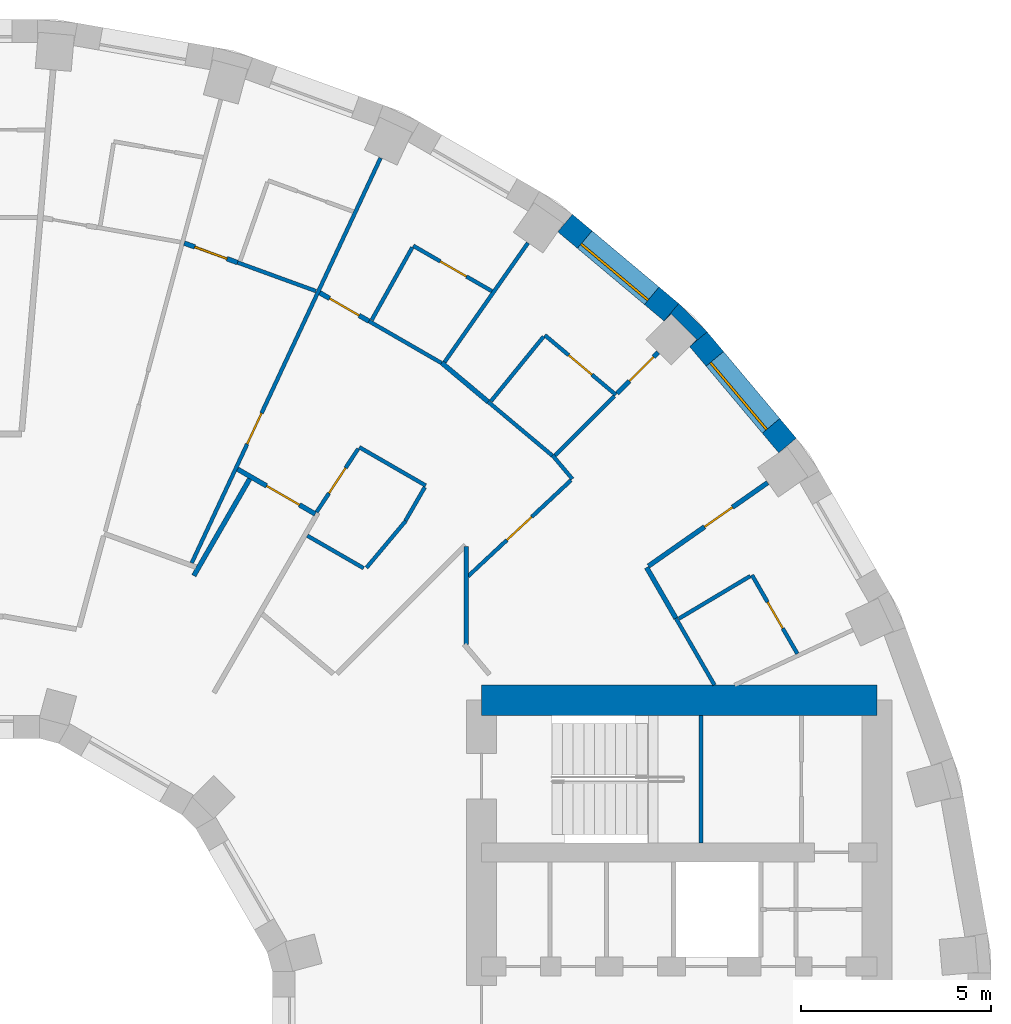
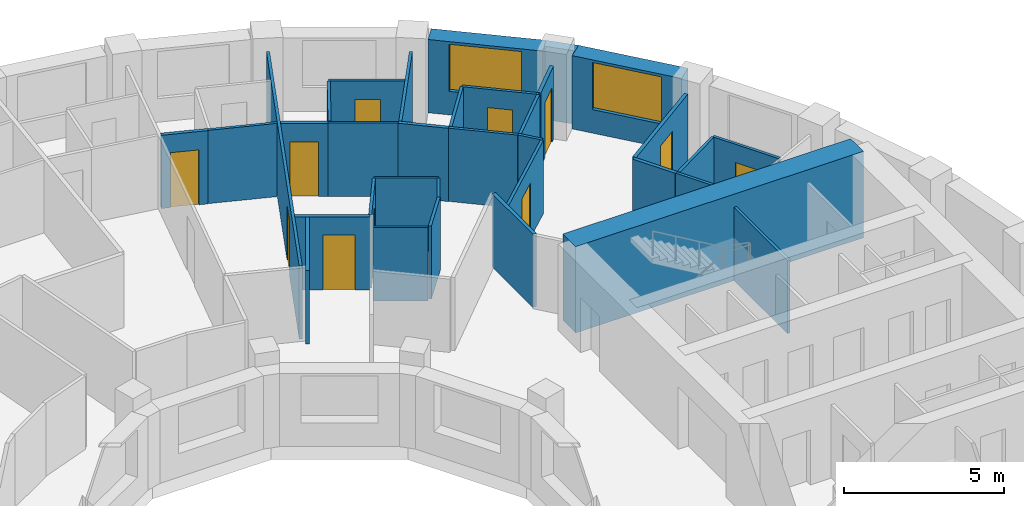
# One storey, part 13 of 16: 34 walls, 11 doors, 2 windows, 13 openings.
"""IFC4 building model written with IfcOpenShell, lengths in metres."""

import ifcopenshell
import ifcopenshell.guid

model = None  # the IFC model being written
_history = None  # IfcOwnerHistory: only IFC2X3 demands one
_inside = {}  # id of a spatial element -> (the spatial element, [elements in it])
_under = {}  # id of a project, library or spatial element -> (it, [spatial elements below it])
_declared = {}  # id of a project -> (the project, [libraries it declares])
_typed = {}  # id of a type object -> (the type object, [elements of that type])
_made_of = {}  # id of a material, layer set ... -> (it, [elements and type objects made of it])


def new_model(schema):
    """Start an empty IFC model of exactly this schema.

    Asked for "IFC4X3", IfcOpenShell would pick the latest addendum, in which some entities
    have other attributes; the version numbers below select the first issue.
    IFC2X3 requires an IfcOwnerHistory on every rooted entity: one is made here for all.
    """
    global model, _history
    if schema == "IFC4X3":
        model = ifcopenshell.file(schema_version=(4, 3, 0, 0))
    else:
        model = ifcopenshell.file(schema=schema)
    _inside.clear()
    _under.clear()
    _declared.clear()
    _typed.clear()
    _made_of.clear()
    _history = None
    if model.schema == "IFC2X3":
        org = make("IfcOrganization", Name="unknown")
        user = make(
            "IfcPersonAndOrganization",
            ThePerson=make("IfcPerson", FamilyName="unknown"),
            TheOrganization=org,
        )
        app = make(
            "IfcApplication",
            ApplicationDeveloper=org,
            Version="unknown",
            ApplicationFullName="unknown",
            ApplicationIdentifier="unknown",
        )
        _history = make(
            "IfcOwnerHistory",
            OwningUser=user,
            OwningApplication=app,
            ChangeAction="ADDED",
            CreationDate=0,
        )
    return model


def make(cls, **values):
    """One entity of the class cls with the attributes given. An attribute that is None is left unset."""
    return model.create_entity(
        cls, **{name: value for name, value in values.items() if value is not None}
    )


def rooted(cls, **values):
    """An entity with a GlobalId (a new one), such as an element, a storey or a relation."""
    return make(cls, GlobalId=ifcopenshell.guid.new(), OwnerHistory=_history, **values)


def si_unit(unit_type, name, prefix=None):
    """IfcSIUnit, for example si_unit("LENGTHUNIT", "METRE", prefix="MILLI")."""
    return make("IfcSIUnit", UnitType=unit_type, Prefix=prefix, Name=name)


def assignment(units):
    """IfcUnitAssignment: the units of a project."""
    return None if units is None else make("IfcUnitAssignment", Units=units)


def point(xyz):
    """IfcCartesianPoint."""
    return None if xyz is None else make("IfcCartesianPoint", Coordinates=xyz)


def direction(xyz):
    """IfcDirection."""
    return None if xyz is None else make("IfcDirection", DirectionRatios=xyz)


def frame(location, z_axis=None, x_axis=None):
    """IfcAxis2Placement3D, a coordinate frame: its origin and axes. An axis left out is left unset."""
    return make(
        "IfcAxis2Placement3D",
        Location=point(location),
        Axis=direction(z_axis),
        RefDirection=direction(x_axis),
    )


def frame_2d(location, x_axis=None):
    """IfcAxis2Placement2D, a coordinate frame in the plane: its origin and x axis."""
    return make(
        "IfcAxis2Placement2D", Location=point(location), RefDirection=direction(x_axis)
    )


def origin():
    """The frame at (0, 0, 0) with its axes left unset."""
    return frame((0.0, 0.0, 0.0))


def place(relative_to, where):
    """IfcLocalPlacement: puts the frame where relative to a parent placement (None: the world)."""
    return make(
        "IfcLocalPlacement", PlacementRelTo=relative_to, RelativePlacement=where
    )


def context(
    kind, dimensions, precision=None, world=None, true_north=None, identifier=None
):
    """IfcGeometricRepresentationContext, for example the 3D "Model" context."""
    return make(
        "IfcGeometricRepresentationContext",
        ContextIdentifier=identifier,
        ContextType=kind,
        CoordinateSpaceDimension=dimensions,
        Precision=precision,
        WorldCoordinateSystem=world,
        TrueNorth=true_north,
    )


def subcontext(parent, identifier, kind, view, scale=None):
    """IfcGeometricRepresentationSubContext, for example "Body" below "Model"."""
    return make(
        "IfcGeometricRepresentationSubContext",
        ContextIdentifier=identifier,
        ContextType=kind,
        ParentContext=parent,
        TargetScale=scale,
        TargetView=view,
    )


def project(units=None, contexts=None):
    """IfcProject with its units and contexts."""
    return rooted(
        "IfcProject",
        Name="project",
        RepresentationContexts=contexts,
        UnitsInContext=assignment(units),
    )


def spatial(cls, under=None, at=None, **own):
    """A site, building, storey or space (cls), placed at a placement, below another one or the project."""
    s = rooted(cls, ObjectPlacement=at, **own)
    if under is not None:
        _under.setdefault(under.id(), (under, []))[1].append(s)
    return s


def polyline(points):
    """IfcPolyline through the points."""
    return make("IfcPolyline", Points=[point(p) for p in points])


def profile(cls, at=None, kind="AREA", **sizes):
    """A parametric profile (cls). Its sizes go by their IFC names, for example OverallWidth=200.0."""
    return make(cls, ProfileType=kind, Position=at, **sizes)


def rectangle(**sizes):
    """IfcRectangleProfileDef."""
    return profile("IfcRectangleProfileDef", **sizes)


def outline(outer, holes=None, kind="AREA"):
    """IfcArbitraryClosedProfileDef: a profile drawn as a closed curve; with holes, ...WithVoids."""
    if holes is None:
        return make("IfcArbitraryClosedProfileDef", ProfileType=kind, OuterCurve=outer)
    return make(
        "IfcArbitraryProfileDefWithVoids",
        ProfileType=kind,
        OuterCurve=outer,
        InnerCurves=holes,
    )


def extrude(swept, where, along, depth):
    """IfcExtrudedAreaSolid: the profile swept, set in the frame where, extruded along a direction by depth."""
    return make(
        "IfcExtrudedAreaSolid",
        SweptArea=swept,
        Position=where,
        ExtrudedDirection=direction(along),
        Depth=depth,
    )


def shape(context_of_items, identifier, shape_type, items):
    """IfcShapeRepresentation: the items that make up one representation, for example the "Body"."""
    return make(
        "IfcShapeRepresentation",
        ContextOfItems=context_of_items,
        RepresentationIdentifier=identifier,
        RepresentationType=shape_type,
        Items=items,
    )


def material(Name=None, Category=None):
    """IfcMaterial."""
    return make("IfcMaterial", Name=Name, Category=Category)


def layer(
    of_material, thickness, ventilated=None, Name=None, Category=None, Priority=None
):
    """IfcMaterialLayer: one layer of a wall or slab, of a material (None: an air gap)."""
    return make(
        "IfcMaterialLayer",
        Material=of_material,
        LayerThickness=thickness,
        IsVentilated=ventilated,
        Name=Name,
        Category=Category,
        Priority=Priority,
    )


def layer_set(layers, Name=None):
    """IfcMaterialLayerSet."""
    return make("IfcMaterialLayerSet", MaterialLayers=layers, LayerSetName=Name)


def made_of(thing, what):
    """Note that an element or type object is made of a material, layer set ...; save() writes the relation."""
    if what is not None:
        _made_of.setdefault(what.id(), (what, []))[1].append(thing)
    return thing


def type_object(cls, material=None, **own):
    """A type object (cls), such as IfcWallType, which elements share."""
    return made_of(rooted(cls, **own), material)


def element(
    cls,
    number,
    at=None,
    inside=None,
    cuts=None,
    type_object=None,
    material=None,
    context=None,
    identifier="Body",
    shape_type=None,
    held_by="IfcProductDefinitionShape",
    body=None,
    shapes=None,
    **own,
):
    """One element of the class cls, such as IfcWall. Its Tag is "e" and its number.

    at: its placement. inside: the storey or other place that contains it. cuts: it is an
    opening in that element (IfcRelVoidsElement). A single representation is given by context,
    identifier, shape_type and body (its items); several are given by shapes. held_by: the class
    of the entity that holds the representations. save() writes the other relations.
    """
    e = rooted(cls, Tag="e%d" % number, ObjectPlacement=at, **own)
    if body is not None:
        shapes = [shape(context, identifier, shape_type, body)]
    if shapes is not None:
        e.Representation = make(held_by, Representations=shapes)
    if inside is not None:
        _inside.setdefault(inside.id(), (inside, []))[1].append(e)
    if cuts is not None:
        rooted(
            "IfcRelVoidsElement", RelatingBuildingElement=cuts, RelatedOpeningElement=e
        )
    if type_object is not None:
        _typed.setdefault(type_object.id(), (type_object, []))[1].append(e)
    return made_of(e, material)


def fill(opening, filler):
    """IfcRelFillsElement: the door or window that sits in an opening."""
    return rooted(
        "IfcRelFillsElement",
        RelatingOpeningElement=opening,
        RelatedBuildingElement=filler,
    )


def aggregate(whole, parts):
    """IfcRelAggregates: a whole, such as a stair, and the parts it consists of."""
    return rooted("IfcRelAggregates", RelatingObject=whole, RelatedObjects=parts)


def save(model, path):
    """Write the relations noted so far, then the file.

    IfcRelAggregates (storeys below a building ...), IfcRelContainedInSpatialStructure (elements
    in a storey), IfcRelDefinesByType, IfcRelAssociatesMaterial and IfcRelDeclares: one each for
    every whole, place, type object, material and project.
    """
    for whole, parts in _under.values():
        aggregate(whole, parts)
    for where, things in _inside.values():
        rooted(
            "IfcRelContainedInSpatialStructure",
            RelatedElements=things,
            RelatingStructure=where,
        )
    for kind, things in _typed.values():
        rooted("IfcRelDefinesByType", RelatedObjects=things, RelatingType=kind)
    for what, things in _made_of.values():
        rooted("IfcRelAssociatesMaterial", RelatedObjects=things, RelatingMaterial=what)
    for by, libraries in _declared.values():
        rooted("IfcRelDeclares", RelatingContext=by, RelatedDefinitions=libraries)
    model.write(path)


model = new_model("IFC4")

# Units and contexts
model_context = context("Model", 3, precision=1e-05, world=origin(), true_north=direction((0.0, 1.0)))
body_context = subcontext(model_context, "Body", "Model", "MODEL_VIEW")
ifc_project = project(units=[si_unit("LENGTHUNIT", "METRE"), si_unit("AREAUNIT", "SQUARE_METRE"), si_unit("VOLUMEUNIT", "CUBIC_METRE"), si_unit("PLANEANGLEUNIT", "RADIAN"), si_unit("MASSUNIT", "GRAM", prefix="KILO")], contexts=[model_context])

# Site, building, storey
site_placement = place(None, origin())
site = spatial("IfcSite", under=ifc_project, at=site_placement, CompositionType="ELEMENT")
building_placement = place(site_placement, origin())
building = spatial("IfcBuilding", under=site, at=building_placement, Name="Saqina Gate Tower", CompositionType="ELEMENT")
storey_placement = place(building_placement, frame((0.0, 0.0, 121.60009765625)))
storey = spatial("IfcBuildingStorey", under=building, at=storey_placement, Name="L34", CompositionType="ELEMENT", Elevation=121.60009765625)

# Wall
ifc_material_1 = material(Name="Brick masonry (buff)", Category="masonry")
wall_type_1 = type_object("IfcWallType", Name="BRICK PIER COPING BUFF", PredefinedType="SOLIDWALL", material=ifc_material_1)
wall_1_placement = place(storey_placement, origin())
element("IfcWall", 1, at=wall_1_placement, inside=storey, type_object=wall_type_1, Name="Pier cap L34 column 5", PredefinedType="SOLIDWALL", context=body_context, shape_type="SweptSolid", body=[
    extrude(outline(polyline([(19.43212890625, 18.686279296875), (18.686279296875, 19.43212890625), (18.30078125, 18.972412109375), (18.49072265625, 19.16259765625), (19.16259765625, 18.49072265625), (18.972412109375, 18.30078125), (19.43212890625, 18.686279296875)])), origin(), (0.0, 0.0, 1.0), 2.7998046875),
])

# Wall, opening, window
ifc_material_2 = material(Name="Brick masonry (buff)", Category="masonry")
ifc_layer_1 = layer(ifc_material_2, 0.60009765625)
ifc_layer_set_1 = layer_set([ifc_layer_1], Name="FW-BRICK-BUFF")
wall_type_2 = type_object("IfcWallType", Name="FW-BRICK-BUFF", PredefinedType="SOLIDWALL", material=ifc_layer_set_1)
wall_2_placement = place(storey_placement, frame((21.547119140625, 15.69921875, 0.0), z_axis=(0.0, 0.0, 1.0), x_axis=(-0.642774476932, 0.766055462616, 0.0)))
wall_2 = element("IfcWall", 2, at=wall_2_placement, inside=storey, type_object=wall_type_2, Name="Facade wall L34 facet 4", PredefinedType="SOLIDWALL", context=body_context, shape_type="SweptSolid", body=[
    extrude(rectangle(XDim=3.647705078125, YDim=0.60009765625, at=frame_2d((1.82373046875, 0.0))), origin(), (0.0, 0.0, 1.0), 2.7998046875),
])
opening_1_placement = place(wall_2_placement, frame((0.673828125, 0.0, 0.89990234375)))
opening_1 = element("IfcOpeningElement", 3, at=opening_1_placement, cuts=wall_2, Name="Opening G10-W02", PredefinedType="OPENING", context=body_context, shape_type="SweptSolid", body=[
    extrude(rectangle(XDim=2.300048828125, YDim=1.800048828125, at=frame_2d((1.14990234375, 0.89990234375))), frame((0.0, 0.31201171875, 0.0), z_axis=(0.0, -1.0, 0.0), x_axis=(1.0, 0.0, 0.0)), (0.0, 0.0, 1.0), 0.6240234375),
])
ifc_material_3 = material(Name="Aluminium glazing", Category="aluminium")
window_type = type_object("IfcWindowType", Name="WN-B", PartitioningType="SINGLE_PANEL", PredefinedType="WINDOW", material=ifc_material_3)
window_1_placement = place(opening_1_placement, origin())
window_1 = element("IfcWindow", 4, at=window_1_placement, inside=storey, type_object=window_type, Name="Window L34 facet 4", OverallHeight=1.800048828125, OverallWidth=2.300048828125, PartitioningType="SINGLE_PANEL", PredefinedType="WINDOW", context=body_context, shape_type="SweptSolid", body=[
    extrude(rectangle(XDim=2.300048828125, YDim=1.800048828125, at=frame_2d((1.14990234375, 0.89990234375))), frame((0.0, 0.179931640625, 0.0), z_axis=(0.0, -1.0, 0.0), x_axis=(1.0, 0.0, 0.0)), (0.0, 0.0, 1.0), 0.06005859375),
])
fill(opening_1, window_1)

wall_3_placement = place(storey_placement, frame((18.49365234375, 19.202392578125, 0.0), z_axis=(0.0, 0.0, 1.0), x_axis=(-0.766055462616, 0.642774476932, 0.0)))
wall_3 = element("IfcWall", 5, at=wall_3_placement, inside=storey, type_object=wall_type_2, Name="Facade wall L34 facet 5", PredefinedType="SOLIDWALL", context=body_context, shape_type="SweptSolid", body=[
    extrude(rectangle(XDim=3.647705078125, YDim=0.60009765625, at=frame_2d((1.82373046875, 0.0))), origin(), (0.0, 0.0, 1.0), 2.7998046875),
])
opening_2_placement = place(wall_3_placement, frame((0.673828125, 0.0, 0.89990234375)))
opening_2 = element("IfcOpeningElement", 6, at=opening_2_placement, cuts=wall_3, Name="Opening G10-W03", PredefinedType="OPENING", context=body_context, shape_type="SweptSolid", body=[
    extrude(rectangle(XDim=2.300048828125, YDim=1.800048828125, at=frame_2d((1.14990234375, 0.89990234375))), frame((0.0, 0.31201171875, 0.0), z_axis=(0.0, -1.0, 0.0), x_axis=(1.0, 0.0, 0.0)), (0.0, 0.0, 1.0), 0.6240234375),
])
window_2_placement = place(opening_2_placement, origin())
window_2 = element("IfcWindow", 7, at=window_2_placement, inside=storey, type_object=window_type, Name="Window L34 facet 5", OverallHeight=1.800048828125, OverallWidth=2.300048828125, PartitioningType="SINGLE_PANEL", PredefinedType="WINDOW", context=body_context, shape_type="SweptSolid", body=[
    extrude(rectangle(XDim=2.300048828125, YDim=1.800048828125, at=frame_2d((1.14990234375, 0.89990234375))), frame((0.0, 0.179931640625, 0.0), z_axis=(0.0, -1.0, 0.0), x_axis=(1.0, 0.0, 0.0)), (0.0, 0.0, 1.0), 0.06005859375),
])
fill(opening_2, window_2)

# Wall
ifc_material_4 = material(Name="Gypsum board on steel studs, 100 mm", Category="steel")
ifc_layer_2 = layer(ifc_material_4, 0.10009765625)
ifc_layer_set_2 = layer_set([ifc_layer_2], Name="PARTITION 100")
wall_type_3 = type_object("IfcWallType", Name="PARTITION 100", PredefinedType="PARTITIONING", material=ifc_layer_set_2)
wall_4_placement = place(storey_placement, frame((18.612060546875, 11.1572265625, 0.0), z_axis=(0.0, 0.0, 1.0), x_axis=(0.500111227227, -0.865961177191, 0.0)))
element("IfcWall", 8, at=wall_4_placement, inside=storey, type_object=wall_type_3, Name="PARTITION PW3-15", PredefinedType="PARTITIONING", context=body_context, shape_type="SweptSolid", body=[
    extrude(rectangle(XDim=2.029296875, YDim=0.10009765625, at=frame_2d((1.0146484375, 0.0))), origin(), (0.0, 0.0, 1.0), 2.7998046875),
])

# Wall, opening, door
wall_5_placement = place(storey_placement, frame((20.613037109375, 12.2919921875, 0.0), z_axis=(0.0, 0.0, 1.0), x_axis=(0.499855185972, -0.866108996061, 0.0)))
wall_5 = element("IfcWall", 9, at=wall_5_placement, inside=storey, type_object=wall_type_3, Name="PARTITION PW3-16", PredefinedType="PARTITIONING", context=body_context, shape_type="SweptSolid", body=[
    extrude(rectangle(XDim=2.388427734375, YDim=0.10009765625, at=frame_2d((1.1943359375, 0.0))), origin(), (0.0, 0.0, 1.0), 2.7998046875),
])
opening_3_placement = place(wall_5_placement, frame((0.8193359375, 0.0, 0.0)))
opening_3 = element("IfcOpeningElement", 10, at=opening_3_placement, cuts=wall_5, Name="Opening G10-D01", PredefinedType="OPENING", context=body_context, shape_type="SweptSolid", body=[
    extrude(rectangle(XDim=0.800048828125, YDim=2.10009765625, at=frame_2d((0.39990234375, 1.050048828125))), frame((0.0, 0.06201171875, 0.0), z_axis=(0.0, -1.0, 0.0), x_axis=(1.0, 0.0, 0.0)), (0.0, 0.0, 1.0), 0.1240234375),
])
ifc_material_5 = material(Name="Timber door leaf, 800 mm", Category="wood")
door_type_1 = type_object("IfcDoorType", Name="DOOR 800 TIMBER", OperationType="SINGLE_SWING_LEFT", PredefinedType="DOOR", material=ifc_material_5)
door_1_placement = place(opening_3_placement, origin())
door_1 = element("IfcDoor", 11, at=door_1_placement, inside=storey, type_object=door_type_1, Name="DOOR G10-D01", OperationType="SINGLE_SWING_RIGHT", OverallHeight=2.10009765625, OverallWidth=0.800048828125, PredefinedType="DOOR", context=body_context, shape_type="SweptSolid", body=[
    extrude(rectangle(XDim=0.800048828125, YDim=2.10009765625, at=frame_2d((0.39990234375, 1.050048828125))), frame((0.0, 0.02490234375, 0.0), z_axis=(0.0, -1.0, 0.0), x_axis=(1.0, 0.0, 0.0)), (0.0, 0.0, 1.0), 0.050048828125),
])
fill(opening_3, door_1)

# Walls
wall_6_placement = place(storey_placement, frame((15.368408203125, 15.43994140625, 0.0), z_axis=(0.0, 0.0, 1.0), x_axis=(0.643079214365, -0.765799663131, 0.0)))
element("IfcWall", 12, at=wall_6_placement, inside=storey, type_object=wall_type_3, Name="PARTITION PW3-22", PredefinedType="PARTITIONING", context=body_context, shape_type="SweptSolid", body=[
    extrude(rectangle(XDim=0.811767578125, YDim=0.10009765625, at=frame_2d((0.40576171875, 0.0))), origin(), (0.0, 0.0, 1.0), 2.7998046875),
])
wall_7_placement = place(storey_placement, frame((13.673583984375, 16.85009765625, 0.0), z_axis=(0.0, 0.0, 1.0), x_axis=(0.766138779905, -0.642675166725, 0.0)))
element("IfcWall", 13, at=wall_7_placement, inside=storey, type_object=wall_type_3, Name="PARTITION PW3-29", PredefinedType="PARTITIONING", context=body_context, shape_type="SweptSolid", body=[
    extrude(rectangle(XDim=2.204833984375, YDim=0.10009765625, at=frame_2d((1.1025390625, 0.0))), origin(), (0.0, 0.0, 1.0), 2.7998046875),
])

# Wall, opening, door
wall_8_placement = place(storey_placement, frame((15.1650390625, 18.60107421875, 0.0), z_axis=(0.0, 0.0, 1.0), x_axis=(0.765894146118, -0.642966684161, 0.0)))
wall_8 = element("IfcWall", 14, at=wall_8_placement, inside=storey, type_object=wall_type_3, Name="PARTITION PW3-30", PredefinedType="PARTITIONING", context=body_context, shape_type="SweptSolid", body=[
    extrude(rectangle(XDim=2.43896484375, YDim=0.10009765625, at=frame_2d((1.219482421875, 0.0))), origin(), (0.0, 0.0, 1.0), 2.7998046875),
])
opening_4_placement = place(wall_8_placement, frame((0.8193359375, 0.0, 0.0)))
opening_4 = element("IfcOpeningElement", 15, at=opening_4_placement, cuts=wall_8, Name="Opening G10-D05", PredefinedType="OPENING", context=body_context, shape_type="SweptSolid", body=[
    extrude(rectangle(XDim=0.800048828125, YDim=2.10009765625, at=frame_2d((0.39990234375, 1.050048828125))), frame((0.0, 0.06201171875, 0.0), z_axis=(0.0, -1.0, 0.0), x_axis=(1.0, 0.0, 0.0)), (0.0, 0.0, 1.0), 0.1240234375),
])
door_2_placement = place(opening_4_placement, origin())
door_2 = element("IfcDoor", 16, at=door_2_placement, inside=storey, type_object=door_type_1, Name="DOOR G10-D05", OperationType="SINGLE_SWING_LEFT", OverallHeight=2.10009765625, OverallWidth=0.800048828125, PredefinedType="DOOR", context=body_context, shape_type="SweptSolid", body=[
    extrude(rectangle(XDim=0.800048828125, YDim=2.10009765625, at=frame_2d((0.39990234375, 1.050048828125))), frame((0.0, 0.02490234375, 0.0), z_axis=(0.0, -1.0, 0.0), x_axis=(1.0, 0.0, 0.0)), (0.0, 0.0, 1.0), 0.050048828125),
])
fill(opening_4, door_2)

# Walls
wall_9_placement = place(storey_placement, frame((8.921142578125, 13.32666015625, 0.0), z_axis=(0.0, 0.0, 1.0), x_axis=(0.866168931404, -0.499751320429, 0.0)))
element("IfcWall", 17, at=wall_9_placement, inside=storey, type_object=wall_type_3, Name="PARTITION PW3-35", PredefinedType="PARTITIONING", context=body_context, shape_type="SweptSolid", body=[
    extrude(rectangle(XDim=1.708251953125, YDim=0.10009765625, at=frame_2d((0.85400390625, 0.0))), origin(), (0.0, 0.0, 1.0), 2.7998046875),
])
wall_10_placement = place(storey_placement, frame((10.285888671875, 15.655029296875, 0.0), z_axis=(0.0, 0.0, 1.0), x_axis=(0.865980246016, -0.500078207394, 0.0)))
element("IfcWall", 18, at=wall_10_placement, inside=storey, type_object=wall_type_3, Name="PARTITION PW3-36", PredefinedType="PARTITIONING", context=body_context, shape_type="SweptSolid", body=[
    extrude(rectangle(XDim=2.019775390625, YDim=0.10009765625, at=frame_2d((1.009765625, 0.0))), origin(), (0.0, 0.0, 1.0), 2.7998046875),
])
wall_11_placement = place(storey_placement, frame((10.539794921875, 18.968994140625, 0.0), z_axis=(0.0, 0.0, 1.0), x_axis=(0.866006764117, -0.500032283461, 0.0)))
element("IfcWall", 19, at=wall_11_placement, inside=storey, type_object=wall_type_3, Name="PARTITION PW3-37", PredefinedType="PARTITIONING", context=body_context, shape_type="SweptSolid", body=[
    extrude(rectangle(XDim=2.205322265625, YDim=0.10009765625, at=frame_2d((1.1025390625, 0.0))), origin(), (0.0, 0.0, 1.0), 2.7998046875),
])

# Wall, opening, door
wall_12_placement = place(storey_placement, frame((11.705078125, 20.951904296875, 0.0), z_axis=(0.0, 0.0, 1.0), x_axis=(0.865906392454, -0.500206077039, 0.0)))
wall_12 = element("IfcWall", 20, at=wall_12_placement, inside=storey, type_object=wall_type_3, Name="PARTITION PW3-38", PredefinedType="PARTITIONING", context=body_context, shape_type="SweptSolid", body=[
    extrude(rectangle(XDim=2.388671875, YDim=0.10009765625, at=frame_2d((1.1943359375, 0.0))), origin(), (0.0, 0.0, 1.0), 2.7998046875),
])
opening_5_placement = place(wall_12_placement, frame((0.819580078125, 0.0, 0.0)))
opening_5 = element("IfcOpeningElement", 21, at=opening_5_placement, cuts=wall_12, Name="Opening G10-D07", PredefinedType="OPENING", context=body_context, shape_type="SweptSolid", body=[
    extrude(rectangle(XDim=0.800048828125, YDim=2.10009765625, at=frame_2d((0.39990234375, 1.050048828125))), frame((0.0, 0.06201171875, 0.0), z_axis=(0.0, -1.0, 0.0), x_axis=(1.0, 0.0, 0.0)), (0.0, 0.0, 1.0), 0.1240234375),
])
door_3_placement = place(opening_5_placement, origin())
door_3 = element("IfcDoor", 22, at=door_3_placement, inside=storey, type_object=door_type_1, Name="DOOR G10-D07", OperationType="SINGLE_SWING_RIGHT", OverallHeight=2.10009765625, OverallWidth=0.800048828125, PredefinedType="DOOR", context=body_context, shape_type="SweptSolid", body=[
    extrude(rectangle(XDim=0.800048828125, YDim=2.10009765625, at=frame_2d((0.39990234375, 1.050048828125))), frame((0.0, 0.02490234375, 0.0), z_axis=(0.0, -1.0, 0.0), x_axis=(1.0, 0.0, 0.0)), (0.0, 0.0, 1.0), 0.050048828125),
])
fill(opening_5, door_3)

# Walls
wall_13_placement = place(storey_placement, frame((7.0859375, 20.510498046875, 0.0), z_axis=(0.0, 0.0, 1.0), x_axis=(0.939734879809, -0.341904015289, 0.0)))
element("IfcWall", 23, at=wall_13_placement, inside=storey, type_object=wall_type_3, Name="PARTITION PW3-43", PredefinedType="PARTITIONING", context=body_context, shape_type="SweptSolid", body=[
    extrude(rectangle(XDim=2.192138671875, YDim=0.10009765625, at=frame_2d((1.09619140625, 0.0))), origin(), (0.0, 0.0, 1.0), 2.7998046875),
])
wall_14_placement = place(storey_placement, frame((18.690673828125, 11.14599609375, 0.0), z_axis=(0.0, 0.0, 1.0), x_axis=(0.858956412084, 0.512048710711, 0.0)))
element("IfcWall", 24, at=wall_14_placement, inside=storey, type_object=wall_type_3, Name="PARTITION PW3-75", PredefinedType="PARTITIONING", context=body_context, shape_type="SweptSolid", body=[
    extrude(rectangle(XDim=2.18798828125, YDim=0.10009765625, at=frame_2d((1.093994140625, 0.0))), origin(), (0.0, 0.0, 1.0), 2.7998046875),
])

# Wall, opening, door
wall_15_placement = place(storey_placement, frame((13.145751953125, 12.258544921875, 0.0), z_axis=(0.0, 0.0, 1.0), x_axis=(0.731186864942, 0.682177226633, 0.0)))
wall_15 = element("IfcWall", 25, at=wall_15_placement, inside=storey, type_object=wall_type_3, Name="PARTITION PW3-81", PredefinedType="PARTITIONING", context=body_context, shape_type="SweptSolid", body=[
    extrude(rectangle(XDim=3.701171875, YDim=0.10009765625, at=frame_2d((1.8505859375, 0.0))), origin(), (0.0, 0.0, 1.0), 2.7998046875),
])
opening_6_placement = place(wall_15_placement, frame((1.393798828125, 0.0, 0.0)))
opening_6 = element("IfcOpeningElement", 26, at=opening_6_placement, cuts=wall_15, Name="Opening G10-D03", PredefinedType="OPENING", context=body_context, shape_type="SweptSolid", body=[
    extrude(rectangle(XDim=0.89990234375, YDim=2.10009765625, at=frame_2d((0.449951171875, 1.050048828125))), frame((0.0, 0.06201171875, 0.0), z_axis=(0.0, -1.0, 0.0), x_axis=(1.0, 0.0, 0.0)), (0.0, 0.0, 1.0), 0.1240234375),
])
ifc_material_6 = material(Name="Timber door leaf, 900 mm", Category="wood")
door_type_2 = type_object("IfcDoorType", Name="DOOR 900 TIMBER", OperationType="SINGLE_SWING_LEFT", PredefinedType="DOOR", material=ifc_material_6)
door_4_placement = place(opening_6_placement, frame((0.89990234375, 0.0, 0.0), z_axis=(0.0, 0.0, 1.0), x_axis=(-1.0, 0.0, 0.0)))
door_4 = element("IfcDoor", 27, at=door_4_placement, inside=storey, type_object=door_type_2, Name="DOOR G10-D03", OperationType="SINGLE_SWING_RIGHT", OverallHeight=2.10009765625, OverallWidth=0.89990234375, PredefinedType="DOOR", context=body_context, shape_type="SweptSolid", body=[
    extrude(rectangle(XDim=0.89990234375, YDim=2.10009765625, at=frame_2d((0.449951171875, 1.050048828125))), frame((0.0, 0.02490234375, 0.0), z_axis=(0.0, -1.0, 0.0), x_axis=(1.0, 0.0, 0.0)), (0.0, 0.0, 1.0), 0.050048828125),
])
fill(opening_6, door_4)

# Walls
wall_16_placement = place(storey_placement, frame((15.436279296875, 15.436279296875, 0.0), z_axis=(0.0, 0.0, 1.0), x_axis=(0.707106781187, 0.707106781187, 0.0)))
element("IfcWall", 28, at=wall_16_placement, inside=storey, type_object=wall_type_3, Name="PARTITION PW3-83", PredefinedType="PARTITIONING", context=body_context, shape_type="SweptSolid", body=[
    extrude(rectangle(XDim=2.2080078125, YDim=0.10009765625, at=frame_2d((1.10400390625, 0.0))), origin(), (0.0, 0.0, 1.0), 2.7998046875),
])
wall_17_placement = place(storey_placement, frame((10.47509765625, 12.484375, 0.0), z_axis=(0.0, 0.0, 1.0), x_axis=(0.642782067074, 0.766049093889, 0.0)))
element("IfcWall", 29, at=wall_17_placement, inside=storey, type_object=wall_type_3, Name="PARTITION PW3-86", PredefinedType="PARTITIONING", context=body_context, shape_type="SweptSolid", body=[
    extrude(rectangle(XDim=1.606201171875, YDim=0.10009765625, at=frame_2d((0.80322265625, 0.0))), origin(), (0.0, 0.0, 1.0), 2.7998046875),
])
wall_18_placement = place(storey_placement, frame((13.75146484375, 16.866455078125, 0.0), z_axis=(0.0, 0.0, 1.0), x_axis=(0.631692824826, 0.775218791738, 0.0)))
element("IfcWall", 30, at=wall_18_placement, inside=storey, type_object=wall_type_3, Name="PARTITION PW3-88", PredefinedType="PARTITIONING", context=body_context, shape_type="SweptSolid", body=[
    extrude(rectangle(XDim=2.1875, YDim=0.10009765625, at=frame_2d((1.09375, 0.0))), origin(), (0.0, 0.0, 1.0), 2.7998046875),
])
wall_19_placement = place(storey_placement, frame((12.529541015625, 17.8916015625, 0.0), z_axis=(0.0, 0.0, 1.0), x_axis=(0.573235132975, 0.819390921553, 0.0)))
element("IfcWall", 31, at=wall_19_placement, inside=storey, type_object=wall_type_3, Name="PARTITION PW3-89", PredefinedType="PARTITIONING", context=body_context, shape_type="SweptSolid", body=[
    extrude(rectangle(XDim=3.822509765625, YDim=0.10009765625, at=frame_2d((1.9111328125, 0.0))), origin(), (0.0, 0.0, 1.0), 2.7998046875),
])

# Wall, opening, door
wall_20_placement = place(storey_placement, frame((9.16455078125, 13.94970703125, 0.0), z_axis=(0.0, 0.0, 1.0), x_axis=(0.549454342873, 0.835523742989, 0.0)))
wall_20 = element("IfcWall", 32, at=wall_20_placement, inside=storey, type_object=wall_type_3, Name="PARTITION PW3-91", PredefinedType="PARTITIONING", context=body_context, shape_type="SweptSolid", body=[
    extrude(rectangle(XDim=1.990966796875, YDim=0.10009765625, at=frame_2d((0.99560546875, 0.0))), origin(), (0.0, 0.0, 1.0), 2.7998046875),
])
opening_7_placement = place(wall_20_placement, frame((0.589111328125, 0.0, 0.0)))
opening_7 = element("IfcOpeningElement", 33, at=opening_7_placement, cuts=wall_20, Name="Opening G10-D06", PredefinedType="OPENING", context=body_context, shape_type="SweptSolid", body=[
    extrude(rectangle(XDim=0.800048828125, YDim=2.10009765625, at=frame_2d((0.39990234375, 1.050048828125))), frame((0.0, 0.06201171875, 0.0), z_axis=(0.0, -1.0, 0.0), x_axis=(1.0, 0.0, 0.0)), (0.0, 0.0, 1.0), 0.1240234375),
])
door_5_placement = place(opening_7_placement, origin())
door_5 = element("IfcDoor", 34, at=door_5_placement, inside=storey, type_object=door_type_1, Name="DOOR G10-D06", OperationType="SINGLE_SWING_LEFT", OverallHeight=2.10009765625, OverallWidth=0.800048828125, PredefinedType="DOOR", context=body_context, shape_type="SweptSolid", body=[
    extrude(rectangle(XDim=0.800048828125, YDim=2.10009765625, at=frame_2d((0.39990234375, 1.050048828125))), frame((0.0, 0.02490234375, 0.0), z_axis=(0.0, -1.0, 0.0), x_axis=(1.0, 0.0, 0.0)), (0.0, 0.0, 1.0), 0.050048828125),
])
fill(opening_7, door_5)

# Walls
wall_21_placement = place(storey_placement, frame((11.5, 13.71923828125, 0.0), z_axis=(0.0, 0.0, 1.0), x_axis=(0.500337452138, 0.865830488022, 0.0)))
element("IfcWall", 35, at=wall_21_placement, inside=storey, type_object=wall_type_3, Name="PARTITION PW3-92", PredefinedType="PARTITIONING", context=body_context, shape_type="SweptSolid", body=[
    extrude(rectangle(XDim=1.019287109375, YDim=0.10009765625, at=frame_2d((0.509765625, 0.0))), origin(), (0.0, 0.0, 1.0), 2.7998046875),
])
wall_22_placement = place(storey_placement, frame((10.613525390625, 18.998779296875, 0.0), z_axis=(0.0, 0.0, 1.0), x_axis=(0.487811352464, 0.872949073204, 0.0)))
element("IfcWall", 36, at=wall_22_placement, inside=storey, type_object=wall_type_3, Name="PARTITION PW3-95", PredefinedType="PARTITIONING", context=body_context, shape_type="SweptSolid", body=[
    extrude(rectangle(XDim=2.1875, YDim=0.10009765625, at=frame_2d((1.09375, 0.0))), origin(), (0.0, 0.0, 1.0), 2.7998046875),
])

# Wall, opening, door
wall_23_placement = place(storey_placement, frame((5.880859375, 12.610595703125, 0.0), z_axis=(0.0, 0.0, 1.0), x_axis=(0.422604500324, 0.906314203964, 0.0)))
wall_23 = element("IfcWall", 37, at=wall_23_placement, inside=storey, type_object=wall_type_3, Name="PARTITION PW3-98", PredefinedType="PARTITIONING", context=body_context, shape_type="SweptSolid", body=[
    extrude(rectangle(XDim=11.75048828125, YDim=0.10009765625, at=frame_2d((5.875244140625, 0.0))), origin(), (0.0, 0.0, 1.0), 2.7998046875),
])
opening_8_placement = place(wall_23_placement, frame((3.44970703125, 0.0, 0.0)))
opening_8 = element("IfcOpeningElement", 38, at=opening_8_placement, cuts=wall_23, Name="Opening G10-D10", PredefinedType="OPENING", context=body_context, shape_type="SweptSolid", body=[
    extrude(rectangle(XDim=0.89990234375, YDim=2.10009765625, at=frame_2d((0.449951171875, 1.050048828125))), frame((0.0, 0.06201171875, 0.0), z_axis=(0.0, -1.0, 0.0), x_axis=(1.0, 0.0, 0.0)), (0.0, 0.0, 1.0), 0.1240234375),
])
door_6_placement = place(opening_8_placement, frame((0.89990234375, 0.0, 0.0), z_axis=(0.0, 0.0, 1.0), x_axis=(-1.0, 0.0, 0.0)))
door_6 = element("IfcDoor", 39, at=door_6_placement, inside=storey, type_object=door_type_2, Name="DOOR G10-D10", OperationType="SINGLE_SWING_RIGHT", OverallHeight=2.10009765625, OverallWidth=0.89990234375, PredefinedType="DOOR", context=body_context, shape_type="SweptSolid", body=[
    extrude(rectangle(XDim=0.89990234375, YDim=2.10009765625, at=frame_2d((0.449951171875, 1.050048828125))), frame((0.0, 0.02490234375, 0.0), z_axis=(0.0, -1.0, 0.0), x_axis=(1.0, 0.0, 0.0)), (0.0, 0.0, 1.0), 0.050048828125),
])
fill(opening_8, door_6)

# Walls
ifc_material_7 = material(Name="Gypsum board on steel studs, 125 mm, fire rated", Category="steel")
ifc_layer_3 = layer(ifc_material_7, 0.125)
ifc_layer_set_3 = layer_set([ifc_layer_3], Name="PARTITION EI 30 125")
wall_type_4 = type_object("IfcWallType", Name="PARTITION EI 30 125", PredefinedType="PARTITIONING", material=ifc_layer_set_3)
wall_24_placement = place(storey_placement, frame((17.842041015625, 12.4912109375, 0.0), z_axis=(0.0, 0.0, 1.0), x_axis=(0.499923693419, -0.866069454927, 0.0)))
element("IfcWall", 40, at=wall_24_placement, inside=storey, type_object=wall_type_4, Name="PARTITION PW1-04", PredefinedType="PARTITIONING", context=body_context, shape_type="SweptSolid", body=[
    extrude(rectangle(XDim=1.540283203125, YDim=0.125, at=frame_2d((0.77001953125, 0.0))), origin(), (0.0, 0.0, 1.0), 2.7998046875),
])
wall_25_placement = place(storey_placement, frame((12.4541015625, 17.87353515625, 0.0), z_axis=(0.0, 0.0, 1.0), x_axis=(0.765991783553, -0.642850361693, 0.0)))
element("IfcWall", 41, at=wall_25_placement, inside=storey, type_object=wall_type_4, Name="PARTITION PW1-13", PredefinedType="PARTITIONING", context=body_context, shape_type="SweptSolid", body=[
    extrude(rectangle(XDim=1.592041015625, YDim=0.125, at=frame_2d((0.7958984375, 0.0))), origin(), (0.0, 0.0, 1.0), 2.7998046875),
])

# Wall, opening, door
wall_26_placement = place(storey_placement, frame((7.0859375, 15.076904296875, 0.0), z_axis=(0.0, 0.0, 1.0), x_axis=(0.866192474201, -0.499710513836, 0.0)))
wall_26 = element("IfcWall", 42, at=wall_26_placement, inside=storey, type_object=wall_type_4, Name="PARTITION PW1-17", PredefinedType="PARTITIONING", context=body_context, shape_type="SweptSolid", body=[
    extrude(rectangle(XDim=2.3603515625, YDim=0.125, at=frame_2d((1.18017578125, 0.0))), origin(), (0.0, 0.0, 1.0), 2.7998046875),
])
opening_9_placement = place(wall_26_placement, frame((0.881103515625, 0.0, 0.0)))
opening_9 = element("IfcOpeningElement", 43, at=opening_9_placement, cuts=wall_26, Name="Opening G10-D08", PredefinedType="OPENING", context=body_context, shape_type="SweptSolid", body=[
    extrude(rectangle(XDim=1.0, YDim=2.10009765625, at=frame_2d((0.5, 1.050048828125))), frame((0.0, 0.074462890625, 0.0), z_axis=(0.0, -1.0, 0.0), x_axis=(1.0, 0.0, 0.0)), (0.0, 0.0, 1.0), 0.14892578125),
])
ifc_material_8 = material(Name="Fire door leaf EI 30, 1000 mm")
door_type_3 = type_object("IfcDoorType", Name="DOOR 1000 EI 30", OperationType="SINGLE_SWING_LEFT", PredefinedType="DOOR", material=ifc_material_8)
door_7_placement = place(opening_9_placement, frame((1.0, 0.0, 0.0), z_axis=(0.0, 0.0, 1.0), x_axis=(-1.0, 0.0, 0.0)))
door_7 = element("IfcDoor", 44, at=door_7_placement, inside=storey, type_object=door_type_3, Name="DOOR G10-D08", OperationType="SINGLE_SWING_LEFT", OverallHeight=2.10009765625, OverallWidth=1.0, PredefinedType="DOOR", context=body_context, shape_type="SweptSolid", body=[
    extrude(rectangle(XDim=1.0, YDim=2.10009765625, at=frame_2d((0.5, 1.050048828125))), frame((0.0, 0.02490234375, 0.0), z_axis=(0.0, -1.0, 0.0), x_axis=(1.0, 0.0, 0.0)), (0.0, 0.0, 1.0), 0.050048828125),
])
fill(opening_9, door_7)

wall_27_placement = place(storey_placement, frame((9.248291015625, 19.715087890625, 0.0), z_axis=(0.0, 0.0, 1.0), x_axis=(0.865896584481, -0.500223055231, 0.0)))
wall_27 = element("IfcWall", 45, at=wall_27_placement, inside=storey, type_object=wall_type_4, Name="PARTITION PW1-18", PredefinedType="PARTITIONING", context=body_context, shape_type="SweptSolid", body=[
    extrude(rectangle(XDim=1.491455078125, YDim=0.125, at=frame_2d((0.74560546875, 0.0))), origin(), (0.0, 0.0, 1.0), 2.7998046875),
])
opening_10_placement = place(wall_27_placement, frame((0.295654296875, 0.0, 0.0)))
opening_10 = element("IfcOpeningElement", 46, at=opening_10_placement, cuts=wall_27, Name="Opening G10-D09", PredefinedType="OPENING", context=body_context, shape_type="SweptSolid", body=[
    extrude(rectangle(XDim=0.89990234375, YDim=2.10009765625, at=frame_2d((0.449951171875, 1.050048828125))), frame((0.0, 0.074462890625, 0.0), z_axis=(0.0, -1.0, 0.0), x_axis=(1.0, 0.0, 0.0)), (0.0, 0.0, 1.0), 0.14892578125),
])
ifc_material_9 = material(Name="Fire door leaf EI 30, 900 mm")
door_type_4 = type_object("IfcDoorType", Name="DOOR 900 EI 30", OperationType="SINGLE_SWING_LEFT", PredefinedType="DOOR", material=ifc_material_9)
door_8_placement = place(opening_10_placement, frame((0.89990234375, 0.0, 0.0), z_axis=(0.0, 0.0, 1.0), x_axis=(-1.0, 0.0, 0.0)))
door_8 = element("IfcDoor", 47, at=door_8_placement, inside=storey, type_object=door_type_4, Name="DOOR G10-D09", OperationType="SINGLE_SWING_RIGHT", OverallHeight=2.10009765625, OverallWidth=0.89990234375, PredefinedType="DOOR", context=body_context, shape_type="SweptSolid", body=[
    extrude(rectangle(XDim=0.89990234375, YDim=2.10009765625, at=frame_2d((0.449951171875, 1.050048828125))), frame((0.0, 0.02490234375, 0.0), z_axis=(0.0, -1.0, 0.0), x_axis=(1.0, 0.0, 0.0)), (0.0, 0.0, 1.0), 0.050048828125),
])
fill(opening_10, door_8)

wall_28_placement = place(storey_placement, frame((5.68408203125, 21.020751953125, 0.0), z_axis=(0.0, 0.0, 1.0), x_axis=(0.939314629693, -0.343056885143, 0.0)))
wall_28 = element("IfcWall", 48, at=wall_28_placement, inside=storey, type_object=wall_type_4, Name="PARTITION PW1-19", PredefinedType="PARTITIONING", context=body_context, shape_type="SweptSolid", body=[
    extrude(rectangle(XDim=1.49169921875, YDim=0.125, at=frame_2d((0.745849609375, 0.0))), origin(), (0.0, 0.0, 1.0), 2.7998046875),
])
opening_11_placement = place(wall_28_placement, frame((0.2958984375, 0.0, 0.0)))
opening_11 = element("IfcOpeningElement", 49, at=opening_11_placement, cuts=wall_28, Name="Opening G10-D12", PredefinedType="OPENING", context=body_context, shape_type="SweptSolid", body=[
    extrude(rectangle(XDim=0.89990234375, YDim=2.10009765625, at=frame_2d((0.449951171875, 1.050048828125))), frame((0.0, 0.074462890625, 0.0), z_axis=(0.0, -1.0, 0.0), x_axis=(1.0, 0.0, 0.0)), (0.0, 0.0, 1.0), 0.14892578125),
])
door_9_placement = place(opening_11_placement, frame((0.89990234375, 0.0, 0.0), z_axis=(0.0, 0.0, 1.0), x_axis=(-1.0, 0.0, 0.0)))
door_9 = element("IfcDoor", 50, at=door_9_placement, inside=storey, type_object=door_type_4, Name="DOOR G10-D12", OperationType="SINGLE_SWING_RIGHT", OverallHeight=2.10009765625, OverallWidth=0.89990234375, PredefinedType="DOOR", context=body_context, shape_type="SweptSolid", body=[
    extrude(rectangle(XDim=0.89990234375, YDim=2.10009765625, at=frame_2d((0.449951171875, 1.050048828125))), frame((0.0, 0.02490234375, 0.0), z_axis=(0.0, -1.0, 0.0), x_axis=(1.0, 0.0, 0.0)), (0.0, 0.0, 1.0), 0.050048828125),
])
fill(opening_11, door_9)

wall_29_placement = place(storey_placement, frame((17.89208984375, 12.52880859375, 0.0), z_axis=(0.0, 0.0, 1.0), x_axis=(0.819258924995, 0.573423764607, 0.0)))
wall_29 = element("IfcWall", 51, at=wall_29_placement, inside=storey, type_object=wall_type_4, Name="PARTITION PW1-43", PredefinedType="PARTITIONING", context=body_context, shape_type="SweptSolid", body=[
    extrude(rectangle(XDim=3.822509765625, YDim=0.125, at=frame_2d((1.9111328125, 0.0))), origin(), (0.0, 0.0, 1.0), 2.7998046875),
])
opening_12_placement = place(wall_29_placement, frame((1.796142578125, 0.0, 0.0)))
opening_12 = element("IfcOpeningElement", 52, at=opening_12_placement, cuts=wall_29, Name="Opening G10-D02", PredefinedType="OPENING", context=body_context, shape_type="SweptSolid", body=[
    extrude(rectangle(XDim=0.89990234375, YDim=2.10009765625, at=frame_2d((0.449951171875, 1.050048828125))), frame((0.0, 0.074462890625, 0.0), z_axis=(0.0, -1.0, 0.0), x_axis=(1.0, 0.0, 0.0)), (0.0, 0.0, 1.0), 0.14892578125),
])
door_10_placement = place(opening_12_placement, origin())
door_10 = element("IfcDoor", 53, at=door_10_placement, inside=storey, type_object=door_type_4, Name="DOOR G10-D02", OperationType="SINGLE_SWING_RIGHT", OverallHeight=2.10009765625, OverallWidth=0.89990234375, PredefinedType="DOOR", context=body_context, shape_type="SweptSolid", body=[
    extrude(rectangle(XDim=0.89990234375, YDim=2.10009765625, at=frame_2d((0.449951171875, 1.050048828125))), frame((0.0, 0.02490234375, 0.0), z_axis=(0.0, -1.0, 0.0), x_axis=(1.0, 0.0, 0.0)), (0.0, 0.0, 1.0), 0.050048828125),
])
fill(opening_12, door_10)

wall_30_placement = place(storey_placement, frame((17.068359375, 17.068359375, 0.0), z_axis=(0.0, 0.0, 1.0), x_axis=(0.707106781187, 0.707106781187, 0.0)))
wall_30 = element("IfcWall", 54, at=wall_30_placement, inside=storey, type_object=wall_type_4, Name="PARTITION PW1-49", PredefinedType="PARTITIONING", context=body_context, shape_type="SweptSolid", body=[
    extrude(rectangle(XDim=1.52685546875, YDim=0.125, at=frame_2d((0.763427734375, 0.0))), origin(), (0.0, 0.0, 1.0), 2.7998046875),
])
opening_13_placement = place(wall_30_placement, frame((0.45458984375, 0.0, 0.0)))
opening_13 = element("IfcOpeningElement", 55, at=opening_13_placement, cuts=wall_30, Name="Opening G10-D04", PredefinedType="OPENING", context=body_context, shape_type="SweptSolid", body=[
    extrude(rectangle(XDim=0.89990234375, YDim=2.10009765625, at=frame_2d((0.449951171875, 1.050048828125))), frame((0.0, 0.074462890625, 0.0), z_axis=(0.0, -1.0, 0.0), x_axis=(1.0, 0.0, 0.0)), (0.0, 0.0, 1.0), 0.14892578125),
])
door_11_placement = place(opening_13_placement, frame((0.89990234375, 0.0, 0.0), z_axis=(0.0, 0.0, 1.0), x_axis=(-1.0, 0.0, 0.0)))
door_11 = element("IfcDoor", 56, at=door_11_placement, inside=storey, type_object=door_type_4, Name="DOOR G10-D04", OperationType="SINGLE_SWING_LEFT", OverallHeight=2.10009765625, OverallWidth=0.89990234375, PredefinedType="DOOR", context=body_context, shape_type="SweptSolid", body=[
    extrude(rectangle(XDim=0.89990234375, YDim=2.10009765625, at=frame_2d((0.449951171875, 1.050048828125))), frame((0.0, 0.02490234375, 0.0), z_axis=(0.0, -1.0, 0.0), x_axis=(1.0, 0.0, 0.0)), (0.0, 0.0, 1.0), 0.050048828125),
])
fill(opening_13, door_11)

# Walls
wall_31_placement = place(storey_placement, frame((5.935791015625, 12.274658203125, 0.0), z_axis=(0.0, 0.0, 1.0), x_axis=(0.499715257766, 0.866189737388, 0.0)))
element("IfcWall", 57, at=wall_31_placement, inside=storey, type_object=wall_type_4, Name="PARTITION PW1-54", PredefinedType="PARTITIONING", context=body_context, shape_type="SweptSolid", body=[
    extrude(rectangle(XDim=2.937255859375, YDim=0.125, at=frame_2d((1.46875, 0.0))), origin(), (0.0, 0.0, 1.0), 2.7998046875),
])
wall_32_placement = place(storey_placement, frame((13.10009765625, 10.470458984375, 0.0), z_axis=(0.0, 0.0, 1.0), x_axis=(0.0, 1.0, 0.0)))
element("IfcWall", 58, at=wall_32_placement, inside=storey, type_object=wall_type_4, Name="PARTITION PW1-59", PredefinedType="PARTITIONING", context=body_context, shape_type="SweptSolid", body=[
    extrude(rectangle(XDim=2.566162109375, YDim=0.125, at=frame_2d((1.283203125, 0.0))), origin(), (0.0, 0.0, 1.0), 2.7998046875),
])
ifc_material_10 = material(Name="Autoclaved aerated concrete block", Category="concrete")
ifc_layer_4 = layer(ifc_material_10, 0.10009765625)
ifc_layer_set_4 = layer_set([ifc_layer_4], Name="STAIR ENCLOSURE WALL")
wall_type_5 = type_object("IfcWallType", Name="STAIR ENCLOSURE WALL", PredefinedType="PARTITIONING", material=ifc_layer_set_4)
wall_33_placement = place(storey_placement, frame((19.27001953125, 5.25, 0.0), z_axis=(0.0, 0.0, 1.0), x_axis=(0.0, 1.0, 0.0)))
element("IfcWall", 59, at=wall_33_placement, inside=storey, type_object=wall_type_5, Name="L34-CP-E13", PredefinedType="PARTITIONING", context=body_context, shape_type="SweptSolid", body=[
    extrude(rectangle(XDim=3.35009765625, YDim=0.10009765625, at=frame_2d((1.675048828125, 0.0))), origin(), (0.0, 0.0, 1.0), 2.7998046875),
])
ifc_material_11 = material(Name="Concrete C70/85", Category="concrete")
ifc_layer_5 = layer(ifc_material_11, 0.800048828125)
ifc_layer_set_5 = layer_set([ifc_layer_5], Name="Concrete C70/85")
wall_type_6 = type_object("IfcWallType", Name="STR-CORE WALL-B-O", PredefinedType="SHEAR", material=ifc_layer_set_5)
wall_34_placement = place(storey_placement, frame((13.5, 9.0, 0.0), z_axis=(0.0, 0.0, 1.0), x_axis=(1.0, 0.0, 0.0)))
element("IfcWall", 60, at=wall_34_placement, inside=storey, type_object=wall_type_6, Name="CORE WALL L34 E-NE", PredefinedType="SHEAR", context=body_context, shape_type="SweptSolid", body=[
    extrude(rectangle(XDim=10.39990234375, YDim=0.800048828125, at=frame_2d((5.199951171875, 0.0))), origin(), (0.0, 0.0, 1.0), 3.2998046875),
])

save(model, "model.ifc")
